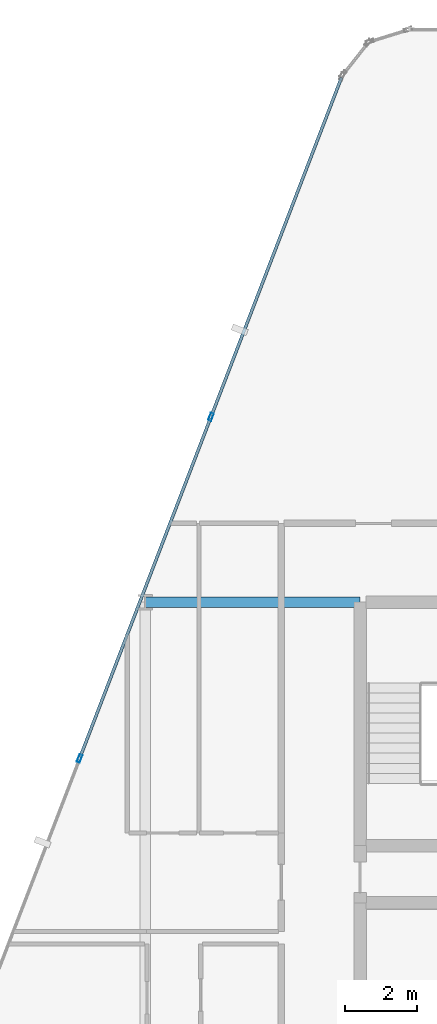
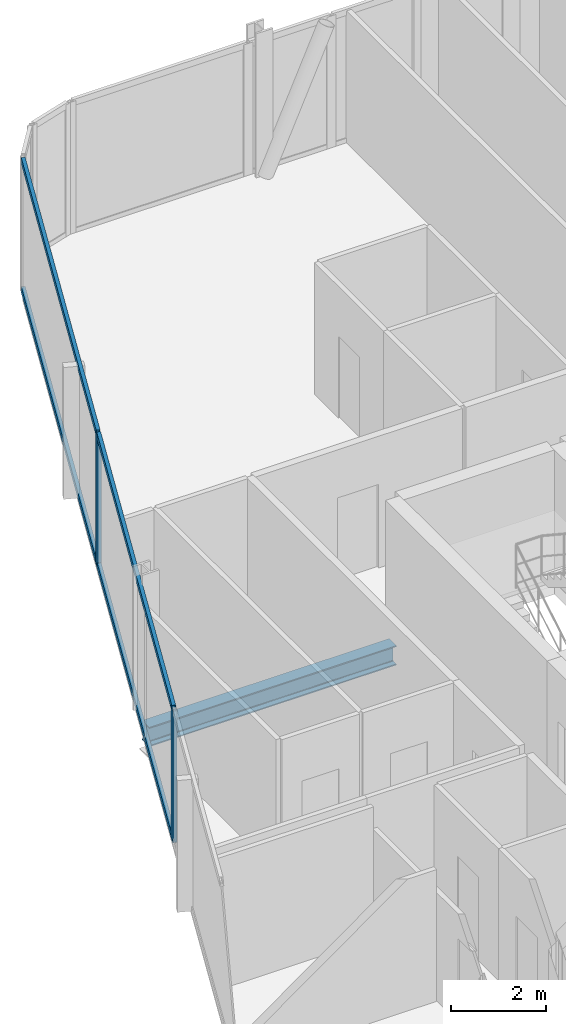
# One storey, part 11 of 34: 6 members, 1 beam, 1 element without a shape of its own.
"""IFC4 building model written with IfcOpenShell, lengths in metres."""

from ifc_helpers import new_model, si_unit, direction, frame, origin, origin_2d, place, context, subcontext, project, spatial, hollow_rectangle, i_section, extrude, material, layer, layer_set, material_profile, profile_set, type_object, element, aggregate, save


model = new_model("IFC4")

# Units and contexts
model_context = context("Model", 3, precision=1e-05, world=origin(), true_north=direction((0.0, 1.0)))
body_context = subcontext(model_context, "Body", "Model", "MODEL_VIEW")
ifc_project = project(units=[si_unit("LENGTHUNIT", "METRE"), si_unit("AREAUNIT", "SQUARE_METRE"), si_unit("VOLUMEUNIT", "CUBIC_METRE"), si_unit("PLANEANGLEUNIT", "RADIAN"), si_unit("MASSUNIT", "GRAM", prefix="KILO")], contexts=[model_context])

# Site, building, storey
site_placement = place(None, origin())
site = spatial("IfcSite", under=ifc_project, at=site_placement, CompositionType="ELEMENT")
building_placement = place(site_placement, origin())
building = spatial("IfcBuilding", under=site, at=building_placement, Name="Keshet Zoharim Tower", CompositionType="ELEMENT")
storey_placement = place(building_placement, frame((0.0, 0.0, 38.800048828125)))
storey = spatial("IfcBuildingStorey", under=building, at=storey_placement, Name="L08", CompositionType="ELEMENT", Elevation=38.800048828125)

# Beam
ifc_material_1 = material(Name="Steel S355", Category="steel")
ifc_material_profile_1 = material_profile(ifc_material_1, i_section(OverallWidth=0.300048828125, OverallDepth=0.5, WebThickness=0.014404296875, FlangeThickness=0.028076171875, FilletRadius=0.027099609375, at=origin_2d()), Name="HEB500")
ifc_profile_set_1 = profile_set([ifc_material_profile_1], Name="Steel S355")
beam_type = type_object("IfcBeamType", Name="BM-WEB-HB500", PredefinedType="BEAM", material=ifc_profile_set_1)
beam_placement = place(storey_placement, frame((9.0, 37.89990234375, -0.56494140625), z_axis=(1.0, 0.0, 0.0), x_axis=(0.0, 1.0, 0.0)))
element("IfcBeam", 1, at=beam_placement, inside=storey, type_object=beam_type, Name="L08 Primary Girder X-028", PredefinedType="BEAM", context=body_context, shape_type="SweptSolid", body=[
    extrude(i_section(OverallWidth=0.300048828125, OverallDepth=0.5, WebThickness=0.014404296875, FlangeThickness=0.028076171875, FilletRadius=0.027099609375, at=origin_2d()), origin(), (0.0, 0.0, 1.0), 6.0),
])

# Curtain wall, members
ifc_material_2 = material(Name="Aluminium 6063-T6", Category="aluminium")
ifc_layer = layer(ifc_material_2, 0.179931640625)
ifc_layer_set = layer_set([ifc_layer], Name="Aluminium 6063-T6")
curtain_wall_type = type_object("IfcCurtainWallType", Name="CW-SYS-01", PredefinedType="NOTDEFINED", material=ifc_layer_set)
curtain_wall_placement = place(storey_placement, origin())
curtain_wall = element("IfcCurtainWall", 2, at=curtain_wall_placement, inside=storey, type_object=curtain_wall_type, Name="L08 Unitised Curtain Wall 04", PredefinedType="NOTDEFINED")
ifc_material_profile_2 = material_profile(ifc_material_2, hollow_rectangle(XDim=0.090087890625, YDim=0.219970703125, WallThickness=0.0048828125, at=origin_2d()), Name="MUL-90x220")
ifc_profile_set_2 = profile_set([ifc_material_profile_2], Name="Aluminium 6063-T6")
member_type_1 = type_object("IfcMemberType", Name="CWM-M22", PredefinedType="MULLION", material=ifc_profile_set_2)
member_1_placement = place(storey_placement, frame((7.1669921875, 33.53466796875, 0.0), z_axis=(0.0, 0.0, 1.0), x_axis=(-0.933341404361, 0.358990003907, 0.0)))
member_1 = element("IfcMember", 3, at=member_1_placement, type_object=member_type_1, Name="CW-01 mullion 2", PredefinedType="MULLION", context=body_context, shape_type="SweptSolid", body=[
    extrude(hollow_rectangle(XDim=0.090087890625, YDim=0.219970703125, WallThickness=0.0048828125, at=origin_2d()), origin(), (0.0, 0.0, 1.0), 3.385009765625),
])
member_2_placement = place(storey_placement, frame((10.8369140625, 43.076416015625, 0.0), z_axis=(0.0, 0.0, 1.0), x_axis=(-0.933341404361, 0.358990003907, 0.0)))
member_2 = element("IfcMember", 4, at=member_2_placement, type_object=member_type_1, Name="CW-01 mullion 3", PredefinedType="MULLION", context=body_context, shape_type="SweptSolid", body=[
    extrude(hollow_rectangle(XDim=0.090087890625, YDim=0.219970703125, WallThickness=0.0048828125, at=origin_2d()), origin(), (0.0, 0.0, 1.0), 3.385009765625),
])
ifc_material_profile_3 = material_profile(ifc_material_2, hollow_rectangle(XDim=0.0849609375, YDim=0.159912109375, WallThickness=0.00439453125, at=origin_2d()), Name="TRN-85x160")
ifc_profile_set_3 = profile_set([ifc_material_profile_3], Name="Aluminium 6063-T6")
member_type_2 = type_object("IfcMemberType", Name="CWT-T16", PredefinedType="USERDEFINED", material=ifc_profile_set_3)
member_3_placement = place(storey_placement, frame((7.179443359375, 33.5673828125, 0.034912109375), z_axis=(0.359003248899, 0.933336309848, 0.0), x_axis=(-0.933336309848, 0.359003248899, 0.0)))
member_3 = element("IfcMember", 5, at=member_3_placement, type_object=member_type_2, Name="CW-01 transom 2.1", ObjectType="TRANSOM", PredefinedType="USERDEFINED", context=body_context, shape_type="SweptSolid", body=[
    extrude(hollow_rectangle(XDim=0.0849609375, YDim=0.159912109375, WallThickness=0.00439453125, at=origin_2d()), origin(), (0.0, 0.0, 1.0), 10.153076171875),
])
member_4_placement = place(storey_placement, frame((7.179443359375, 33.5673828125, 3.349853515625), z_axis=(0.359003248899, 0.933336309848, 0.0), x_axis=(-0.933336309848, 0.359003248899, 0.0)))
member_4 = element("IfcMember", 6, at=member_4_placement, type_object=member_type_2, Name="CW-01 transom 2.2", ObjectType="TRANSOM", PredefinedType="USERDEFINED", context=body_context, shape_type="SweptSolid", body=[
    extrude(hollow_rectangle(XDim=0.0849609375, YDim=0.159912109375, WallThickness=0.00439453125, at=origin_2d()), origin(), (0.0, 0.0, 1.0), 10.153076171875),
])
member_5_placement = place(storey_placement, frame((10.849609375, 43.10888671875, 0.034912109375), z_axis=(0.358985546764, 0.933343118694, 0.0), x_axis=(-0.933343118694, 0.358985546764, 0.0)))
member_5 = element("IfcMember", 7, at=member_5_placement, type_object=member_type_2, Name="CW-01 transom 3.1", ObjectType="TRANSOM", PredefinedType="USERDEFINED", context=body_context, shape_type="SweptSolid", body=[
    extrude(hollow_rectangle(XDim=0.0849609375, YDim=0.159912109375, WallThickness=0.00439453125, at=origin_2d()), origin(), (0.0, 0.0, 1.0), 10.118408203125),
])
member_6_placement = place(storey_placement, frame((10.849609375, 43.10888671875, 3.349853515625), z_axis=(0.358985546764, 0.933343118694, 0.0), x_axis=(-0.933343118694, 0.358985546764, 0.0)))
member_6 = element("IfcMember", 8, at=member_6_placement, type_object=member_type_2, Name="CW-01 transom 3.2", ObjectType="TRANSOM", PredefinedType="USERDEFINED", context=body_context, shape_type="SweptSolid", body=[
    extrude(hollow_rectangle(XDim=0.0849609375, YDim=0.159912109375, WallThickness=0.00439453125, at=origin_2d()), origin(), (0.0, 0.0, 1.0), 10.118408203125),
])
aggregate(curtain_wall, [member_1, member_2, member_3, member_4, member_5, member_6])

save(model, "model.ifc")
